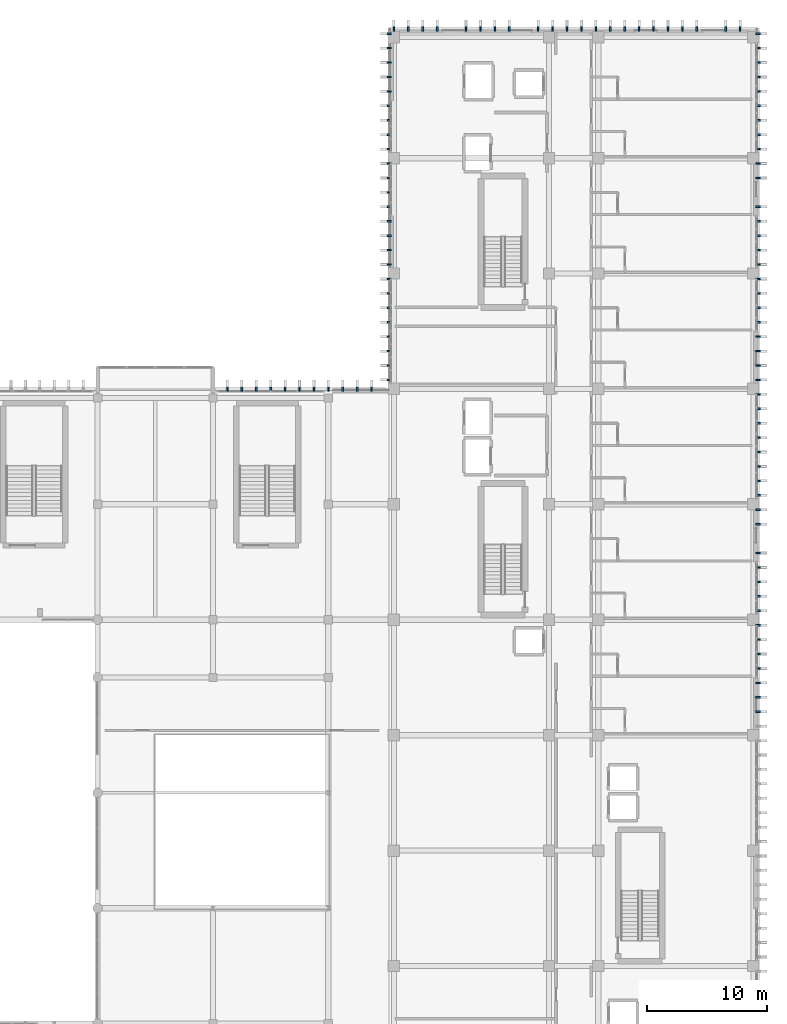
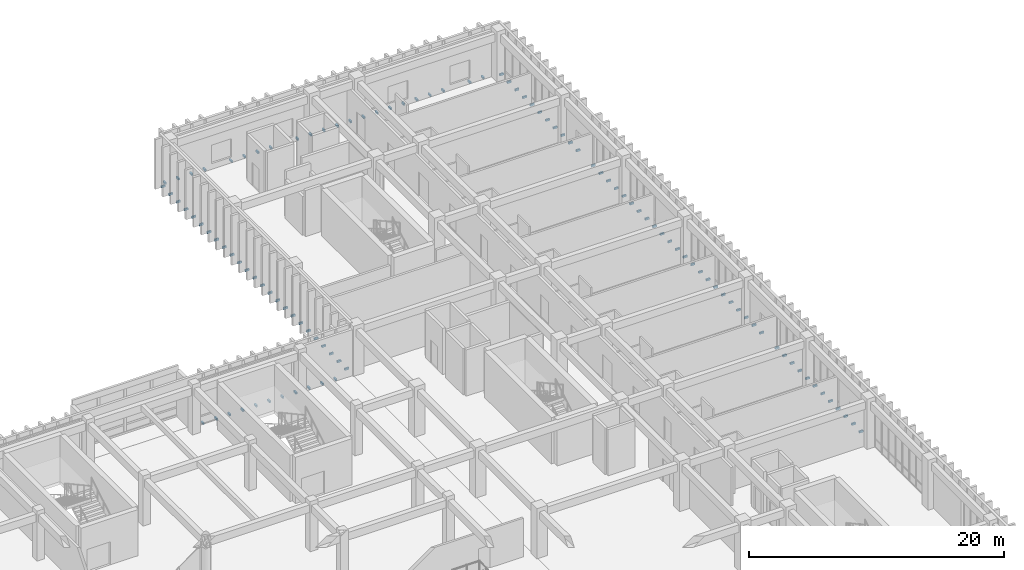
# One storey, part 114 of 133: 104 discrete accessories.
"""IFC4 building model written with IfcOpenShell, lengths in metres."""

from ifc_helpers import new_model, si_unit, direction, frame, origin, origin_2d, place, context, subcontext, project, spatial, rectangle, extrude, material, type_object, element, save


model = new_model("IFC4")

# Units and contexts
model_context = context("Model", 3, precision=1e-05, world=origin(), true_north=direction((0.0, 1.0)))
body_context = subcontext(model_context, "Body", "Model", "MODEL_VIEW")
ifc_project = project(units=[si_unit("LENGTHUNIT", "METRE"), si_unit("AREAUNIT", "SQUARE_METRE"), si_unit("VOLUMEUNIT", "CUBIC_METRE"), si_unit("PLANEANGLEUNIT", "RADIAN"), si_unit("MASSUNIT", "GRAM", prefix="KILO")], contexts=[model_context])

# Site, building, storey
site_placement = place(None, origin())
site = spatial("IfcSite", under=ifc_project, at=site_placement, CompositionType="ELEMENT")
building_placement = place(site_placement, origin())
building = spatial("IfcBuilding", under=site, at=building_placement, Name="Nakhvara Creek Congress Hotel", CompositionType="ELEMENT")
storey_placement = place(building_placement, frame((0.0, 0.0, 11.39990234375)))
storey = spatial("IfcBuildingStorey", under=building, at=storey_placement, Name="L02", CompositionType="ELEMENT", Elevation=11.39990234375)

# Discrete accessories
ifc_material = material(Name="Brushed stainless steel 316L", Category="steel")
discrete_accessory_type = type_object("IfcDiscreteAccessoryType", Name="ACC-BRK-SS316", PredefinedType="BRACKET", material=ifc_material)
for number, where, z_axis, x_axis, name in (
    (1, (135.60009765625, 95.97998046875, -0.10986328125), (0.0, 0.0, 1.0), (1.0, 0.0, 0.0), "Stainless Fin Bracket BK01-0285"),
    (2, (136.800048828125, 95.97998046875, -0.10986328125), (0.0, 0.0, 1.0), (1.0, 0.0, 0.0), "Stainless Fin Bracket BK01-0286"),
    (3, (138.0, 95.97998046875, -0.10986328125), (0.0, 0.0, 1.0), (1.0, 0.0, 0.0), "Stainless Fin Bracket BK01-0287"),
    (4, (139.199951171875, 95.97998046875, -0.10986328125), (0.0, 0.0, 1.0), (1.0, 0.0, 0.0), "Stainless Fin Bracket BK01-0288"),
    (5, (140.39990234375, 95.97998046875, -0.10986328125), (0.0, 0.0, 1.0), (1.0, 0.0, 0.0), "Stainless Fin Bracket BK01-0289"),
    (6, (141.60009765625, 95.97998046875, -0.10986328125), (0.0, 0.0, 1.0), (1.0, 0.0, 0.0), "Stainless Fin Bracket BK01-0290"),
    (7, (142.800048828125, 95.97998046875, -0.10986328125), (0.0, 0.0, 1.0), (1.0, 0.0, 0.0), "Stainless Fin Bracket BK01-0291"),
    (8, (144.0, 95.97998046875, -0.10986328125), (0.0, 0.0, 1.0), (1.0, 0.0, 0.0), "Stainless Fin Bracket BK01-0292"),
    (9, (145.199951171875, 95.97998046875, -0.10986328125), (0.0, 0.0, 1.0), (1.0, 0.0, 0.0), "Stainless Fin Bracket BK01-0293"),
    (10, (146.39990234375, 95.97998046875, -0.10986328125), (0.0, 0.0, 1.0), (1.0, 0.0, 0.0), "Stainless Fin Bracket BK01-0294"),
    (11, (147.60009765625, 95.97998046875, -0.10986328125), (0.0, 0.0, 1.0), (1.0, 0.0, 0.0), "Stainless Fin Bracket BK01-0295"),
    (12, (179.72998046875, 69.14990234375, -0.10986328125), (0.0, 0.0, 1.0), (0.0, 1.0, 0.0), "Stainless Fin Bracket BK01-0775"),
    (13, (179.72998046875, 70.35009765625, -0.10986328125), (0.0, 0.0, 1.0), (0.0, 1.0, 0.0), "Stainless Fin Bracket BK01-0776"),
    (14, (179.72998046875, 71.550048828125, -0.10986328125), (0.0, 0.0, 1.0), (0.0, 1.0, 0.0), "Stainless Fin Bracket BK01-0777"),
    (15, (179.72998046875, 72.75, -0.10986328125), (0.0, 0.0, 1.0), (0.0, 1.0, 0.0), "Stainless Fin Bracket BK01-0778"),
    (16, (179.72998046875, 73.949951171875, -0.10986328125), (0.0, 0.0, 1.0), (0.0, 1.0, 0.0), "Stainless Fin Bracket BK01-0779"),
    (17, (179.72998046875, 75.14990234375, -0.10986328125), (0.0, 0.0, 1.0), (0.0, 1.0, 0.0), "Stainless Fin Bracket BK01-0780"),
    (18, (179.72998046875, 76.35009765625, -0.10986328125), (0.0, 0.0, 1.0), (0.0, 1.0, 0.0), "Stainless Fin Bracket BK01-0781"),
    (19, (179.72998046875, 77.550048828125, -0.10986328125), (0.0, 0.0, 1.0), (0.0, 1.0, 0.0), "Stainless Fin Bracket BK01-0782"),
    (20, (179.72998046875, 78.75, -0.10986328125), (0.0, 0.0, 1.0), (0.0, 1.0, 0.0), "Stainless Fin Bracket BK01-0783"),
    (21, (179.72998046875, 79.949951171875, -0.10986328125), (0.0, 0.0, 1.0), (0.0, 1.0, 0.0), "Stainless Fin Bracket BK01-0784"),
    (22, (179.72998046875, 81.14990234375, -0.10986328125), (0.0, 0.0, 1.0), (0.0, 1.0, 0.0), "Stainless Fin Bracket BK01-0785"),
    (23, (179.72998046875, 82.35009765625, -0.10986328125), (0.0, 0.0, 1.0), (0.0, 1.0, 0.0), "Stainless Fin Bracket BK01-0786"),
    (24, (179.72998046875, 84.75, -0.10986328125), (0.0, 0.0, 1.0), (0.0, 1.0, 0.0), "Stainless Fin Bracket BK01-0787"),
    (25, (179.72998046875, 85.949951171875, -0.10986328125), (0.0, 0.0, 1.0), (0.0, 1.0, 0.0), "Stainless Fin Bracket BK01-0788"),
    (26, (179.72998046875, 87.14990234375, -0.10986328125), (0.0, 0.0, 1.0), (0.0, 1.0, 0.0), "Stainless Fin Bracket BK01-0789"),
    (27, (179.72998046875, 88.35009765625, -0.10986328125), (0.0, 0.0, 1.0), (0.0, 1.0, 0.0), "Stainless Fin Bracket BK01-0790"),
    (28, (179.72998046875, 89.550048828125, -0.10986328125), (0.0, 0.0, 1.0), (0.0, 1.0, 0.0), "Stainless Fin Bracket BK01-0791"),
    (29, (179.72998046875, 90.75, -0.10986328125), (0.0, 0.0, 1.0), (0.0, 1.0, 0.0), "Stainless Fin Bracket BK01-0792"),
    (30, (179.72998046875, 91.949951171875, -0.10986328125), (0.0, 0.0, 1.0), (0.0, 1.0, 0.0), "Stainless Fin Bracket BK01-0793"),
    (31, (179.72998046875, 93.14990234375, -0.10986328125), (0.0, 0.0, 1.0), (0.0, 1.0, 0.0), "Stainless Fin Bracket BK01-0794"),
    (32, (179.72998046875, 94.35009765625, -0.10986328125), (0.0, 0.0, 1.0), (0.0, 1.0, 0.0), "Stainless Fin Bracket BK01-0795"),
    (33, (179.72998046875, 95.550048828125, -0.10986328125), (0.0, 0.0, 1.0), (0.0, 1.0, 0.0), "Stainless Fin Bracket BK01-0796"),
    (34, (179.72998046875, 96.75, -0.10986328125), (0.0, 0.0, 1.0), (0.0, 1.0, 0.0), "Stainless Fin Bracket BK01-0797"),
    (35, (149.070068359375, 96.75, -0.10986328125), (0.0, 0.0, 1.0), (0.0, 1.0, 0.0), "Stainless Fin Bracket BK01-0798"),
    (36, (179.72998046875, 97.949951171875, -0.10986328125), (0.0, 0.0, 1.0), (0.0, 1.0, 0.0), "Stainless Fin Bracket BK01-0799"),
    (37, (149.070068359375, 97.949951171875, -0.10986328125), (0.0, 0.0, 1.0), (0.0, 1.0, 0.0), "Stainless Fin Bracket BK01-0800"),
    (38, (179.72998046875, 99.14990234375, -0.10986328125), (0.0, 0.0, 1.0), (0.0, 1.0, 0.0), "Stainless Fin Bracket BK01-0801"),
    (39, (149.070068359375, 99.14990234375, -0.10986328125), (0.0, 0.0, 1.0), (0.0, 1.0, 0.0), "Stainless Fin Bracket BK01-0802"),
    (40, (179.72998046875, 100.35009765625, -0.10986328125), (0.0, 0.0, 1.0), (0.0, 1.0, 0.0), "Stainless Fin Bracket BK01-0803"),
    (41, (149.070068359375, 100.35009765625, -0.10986328125), (0.0, 0.0, 1.0), (0.0, 1.0, 0.0), "Stainless Fin Bracket BK01-0804"),
    (42, (179.72998046875, 101.550048828125, -0.10986328125), (0.0, 0.0, 1.0), (0.0, 1.0, 0.0), "Stainless Fin Bracket BK01-0805"),
    (43, (149.070068359375, 101.550048828125, -0.10986328125), (0.0, 0.0, 1.0), (0.0, 1.0, 0.0), "Stainless Fin Bracket BK01-0806"),
    (44, (179.72998046875, 102.75, -0.10986328125), (0.0, 0.0, 1.0), (0.0, 1.0, 0.0), "Stainless Fin Bracket BK01-0807"),
    (45, (149.070068359375, 102.75, -0.10986328125), (0.0, 0.0, 1.0), (0.0, 1.0, 0.0), "Stainless Fin Bracket BK01-0808"),
    (46, (179.72998046875, 103.949951171875, -0.10986328125), (0.0, 0.0, 1.0), (0.0, 1.0, 0.0), "Stainless Fin Bracket BK01-0809"),
    (47, (149.070068359375, 103.949951171875, -0.10986328125), (0.0, 0.0, 1.0), (0.0, 1.0, 0.0), "Stainless Fin Bracket BK01-0810"),
    (48, (179.72998046875, 105.14990234375, -0.10986328125), (0.0, 0.0, 1.0), (0.0, 1.0, 0.0), "Stainless Fin Bracket BK01-0811"),
    (49, (149.070068359375, 105.14990234375, -0.10986328125), (0.0, 0.0, 1.0), (0.0, 1.0, 0.0), "Stainless Fin Bracket BK01-0812"),
    (50, (179.72998046875, 106.35009765625, -0.10986328125), (0.0, 0.0, 1.0), (0.0, 1.0, 0.0), "Stainless Fin Bracket BK01-0813"),
    (51, (149.070068359375, 106.35009765625, -0.10986328125), (0.0, 0.0, 1.0), (0.0, 1.0, 0.0), "Stainless Fin Bracket BK01-0814"),
    (52, (179.72998046875, 107.550048828125, -0.10986328125), (0.0, 0.0, 1.0), (0.0, 1.0, 0.0), "Stainless Fin Bracket BK01-0815"),
    (53, (149.070068359375, 107.550048828125, -0.10986328125), (0.0, 0.0, 1.0), (0.0, 1.0, 0.0), "Stainless Fin Bracket BK01-0816"),
    (54, (179.72998046875, 108.75, -0.10986328125), (0.0, 0.0, 1.0), (0.0, 1.0, 0.0), "Stainless Fin Bracket BK01-0817"),
    (55, (149.070068359375, 108.75, -0.10986328125), (0.0, 0.0, 1.0), (0.0, 1.0, 0.0), "Stainless Fin Bracket BK01-0818"),
    (56, (179.72998046875, 109.949951171875, -0.10986328125), (0.0, 0.0, 1.0), (0.0, 1.0, 0.0), "Stainless Fin Bracket BK01-0819"),
    (57, (149.070068359375, 109.949951171875, -0.10986328125), (0.0, 0.0, 1.0), (0.0, 1.0, 0.0), "Stainless Fin Bracket BK01-0820"),
    (58, (179.72998046875, 111.14990234375, -0.10986328125), (0.0, 0.0, 1.0), (0.0, 1.0, 0.0), "Stainless Fin Bracket BK01-0821"),
    (59, (149.070068359375, 111.14990234375, -0.10986328125), (0.0, 0.0, 1.0), (0.0, 1.0, 0.0), "Stainless Fin Bracket BK01-0822"),
    (60, (149.070068359375, 112.35009765625, -0.10986328125), (0.0, 0.0, 1.0), (0.0, 1.0, 0.0), "Stainless Fin Bracket BK01-0823"),
    (61, (179.72998046875, 113.550048828125, -0.10986328125), (0.0, 0.0, 1.0), (0.0, 1.0, 0.0), "Stainless Fin Bracket BK01-0824"),
    (62, (149.070068359375, 113.550048828125, -0.10986328125), (0.0, 0.0, 1.0), (0.0, 1.0, 0.0), "Stainless Fin Bracket BK01-0825"),
    (63, (179.72998046875, 114.75, -0.10986328125), (0.0, 0.0, 1.0), (0.0, 1.0, 0.0), "Stainless Fin Bracket BK01-0826"),
    (64, (149.070068359375, 114.75, -0.10986328125), (0.0, 0.0, 1.0), (0.0, 1.0, 0.0), "Stainless Fin Bracket BK01-0827"),
    (65, (179.72998046875, 115.949951171875, -0.10986328125), (0.0, 0.0, 1.0), (0.0, 1.0, 0.0), "Stainless Fin Bracket BK01-0828"),
    (66, (149.070068359375, 115.949951171875, -0.10986328125), (0.0, 0.0, 1.0), (0.0, 1.0, 0.0), "Stainless Fin Bracket BK01-0829"),
    (67, (179.72998046875, 117.14990234375, -0.10986328125), (0.0, 0.0, 1.0), (0.0, 1.0, 0.0), "Stainless Fin Bracket BK01-0830"),
    (68, (149.070068359375, 117.14990234375, -0.10986328125), (0.0, 0.0, 1.0), (0.0, 1.0, 0.0), "Stainless Fin Bracket BK01-0831"),
    (69, (179.72998046875, 118.35009765625, -0.10986328125), (0.0, 0.0, 1.0), (0.0, 1.0, 0.0), "Stainless Fin Bracket BK01-0832"),
    (70, (149.070068359375, 118.35009765625, -0.10986328125), (0.0, 0.0, 1.0), (0.0, 1.0, 0.0), "Stainless Fin Bracket BK01-0833"),
    (71, (179.72998046875, 119.550048828125, -0.10986328125), (0.0, 0.0, 1.0), (0.0, 1.0, 0.0), "Stainless Fin Bracket BK01-0834"),
    (72, (149.070068359375, 119.550048828125, -0.10986328125), (0.0, 0.0, 1.0), (0.0, 1.0, 0.0), "Stainless Fin Bracket BK01-0835"),
    (73, (179.72998046875, 120.75, -0.10986328125), (0.0, 0.0, 1.0), (0.0, 1.0, 0.0), "Stainless Fin Bracket BK01-0836"),
    (74, (149.070068359375, 120.75, -0.10986328125), (0.0, 0.0, 1.0), (0.0, 1.0, 0.0), "Stainless Fin Bracket BK01-0837"),
    (75, (179.72998046875, 121.949951171875, -0.10986328125), (0.0, 0.0, 1.0), (0.0, 1.0, 0.0), "Stainless Fin Bracket BK01-0838"),
    (76, (149.070068359375, 121.949951171875, -0.10986328125), (0.0, 0.0, 1.0), (0.0, 1.0, 0.0), "Stainless Fin Bracket BK01-0839"),
    (77, (179.72998046875, 123.14990234375, -0.10986328125), (0.0, 0.0, 1.0), (0.0, 1.0, 0.0), "Stainless Fin Bracket BK01-0840"),
    (78, (149.070068359375, 123.14990234375, -0.10986328125), (0.0, 0.0, 1.0), (0.0, 1.0, 0.0), "Stainless Fin Bracket BK01-0841"),
    (79, (179.72998046875, 124.35009765625, -0.10986328125), (0.0, 0.0, 1.0), (0.0, 1.0, 0.0), "Stainless Fin Bracket BK01-0842"),
    (80, (149.070068359375, 124.35009765625, -0.10986328125), (0.0, 0.0, 1.0), (0.0, 1.0, 0.0), "Stainless Fin Bracket BK01-0843"),
    (81, (179.72998046875, 125.550048828125, -0.10986328125), (0.0, 0.0, 1.0), (0.0, 1.0, 0.0), "Stainless Fin Bracket BK01-0844"),
    (82, (149.070068359375, 125.550048828125, -0.10986328125), (0.0, 0.0, 1.0), (0.0, 1.0, 0.0), "Stainless Fin Bracket BK01-0845"),
    (83, (149.449951171875, 125.93994140625, -0.10986328125), (0.0, 0.0, 1.0), (1.0, 0.0, 0.0), "Stainless Fin Bracket BK01-0846"),
    (84, (150.64990234375, 125.93994140625, -0.10986328125), (0.0, 0.0, 1.0), (1.0, 0.0, 0.0), "Stainless Fin Bracket BK01-0848"),
    (85, (151.85009765625, 125.93994140625, -0.10986328125), (0.0, 0.0, 1.0), (1.0, 0.0, 0.0), "Stainless Fin Bracket BK01-0850"),
    (86, (153.050048828125, 125.93994140625, -0.10986328125), (0.0, 0.0, 1.0), (1.0, 0.0, 0.0), "Stainless Fin Bracket BK01-0852"),
    (87, (155.449951171875, 125.93994140625, -0.10986328125), (0.0, 0.0, 1.0), (1.0, 0.0, 0.0), "Stainless Fin Bracket BK01-0855"),
    (88, (156.64990234375, 125.93994140625, -0.10986328125), (0.0, 0.0, 1.0), (1.0, 0.0, 0.0), "Stainless Fin Bracket BK01-0857"),
    (89, (157.85009765625, 125.93994140625, -0.10986328125), (0.0, 0.0, 1.0), (1.0, 0.0, 0.0), "Stainless Fin Bracket BK01-0859"),
    (90, (159.050048828125, 125.93994140625, -0.10986328125), (0.0, 0.0, 1.0), (1.0, 0.0, 0.0), "Stainless Fin Bracket BK01-0861"),
    (91, (161.449951171875, 125.93994140625, -0.10986328125), (0.0, 0.0, 1.0), (1.0, 0.0, 0.0), "Stainless Fin Bracket BK01-0864"),
    (92, (162.64990234375, 125.93994140625, -0.10986328125), (0.0, 0.0, 1.0), (1.0, 0.0, 0.0), "Stainless Fin Bracket BK01-0866"),
    (93, (163.85009765625, 125.93994140625, -0.10986328125), (0.0, 0.0, 1.0), (1.0, 0.0, 0.0), "Stainless Fin Bracket BK01-0868"),
    (94, (165.050048828125, 125.93994140625, -0.10986328125), (0.0, 0.0, 1.0), (1.0, 0.0, 0.0), "Stainless Fin Bracket BK01-0870"),
    (95, (166.25, 125.93994140625, -0.10986328125), (0.0, 0.0, 1.0), (1.0, 0.0, 0.0), "Stainless Fin Bracket BK01-0872"),
    (96, (167.449951171875, 125.93994140625, -0.10986328125), (0.0, 0.0, 1.0), (1.0, 0.0, 0.0), "Stainless Fin Bracket BK01-0874"),
    (97, (168.64990234375, 125.93994140625, -0.10986328125), (0.0, 0.0, 1.0), (1.0, 0.0, 0.0), "Stainless Fin Bracket BK01-0876"),
    (98, (169.85009765625, 125.93994140625, -0.10986328125), (0.0, 0.0, 1.0), (1.0, 0.0, 0.0), "Stainless Fin Bracket BK01-0877"),
    (99, (171.050048828125, 125.93994140625, -0.10986328125), (0.0, 0.0, 1.0), (1.0, 0.0, 0.0), "Stainless Fin Bracket BK01-0879"),
    (100, (172.25, 125.93994140625, -0.10986328125), (0.0, 0.0, 1.0), (1.0, 0.0, 0.0), "Stainless Fin Bracket BK01-0881"),
    (101, (173.449951171875, 125.93994140625, -0.10986328125), (0.0, 0.0, 1.0), (1.0, 0.0, 0.0), "Stainless Fin Bracket BK01-0883"),
    (102, (174.64990234375, 125.93994140625, -0.10986328125), (0.0, 0.0, 1.0), (1.0, 0.0, 0.0), "Stainless Fin Bracket BK01-0885"),
    (103, (177.050048828125, 125.93994140625, -0.10986328125), (0.0, 0.0, 1.0), (1.0, 0.0, 0.0), "Stainless Fin Bracket BK01-0888"),
    (104, (178.25, 125.93994140625, -0.10986328125), (0.0, 0.0, 1.0), (1.0, 0.0, 0.0), "Stainless Fin Bracket BK01-0890"),
):
    element("IfcDiscreteAccessory", number, at=place(storey_placement, frame(where, z_axis=z_axis, x_axis=x_axis)), inside=storey, type_object=discrete_accessory_type, Name=name, PredefinedType="BRACKET", context=body_context, shape_type="SweptSolid", body=[
        extrude(rectangle(XDim=0.139892578125, YDim=0.360107421875, at=origin_2d()), origin(), (0.0, 0.0, 1.0), 0.179931640625),
    ])

save(model, "model.ifc")
